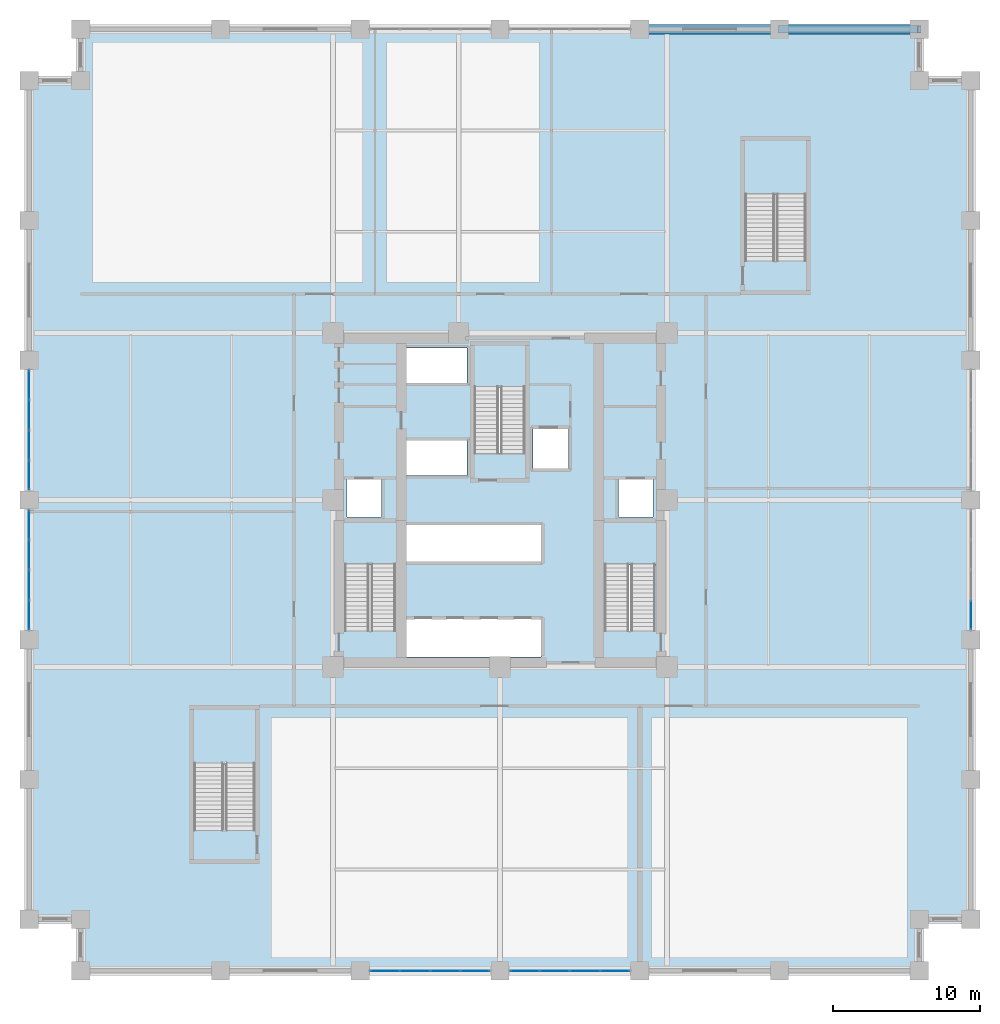
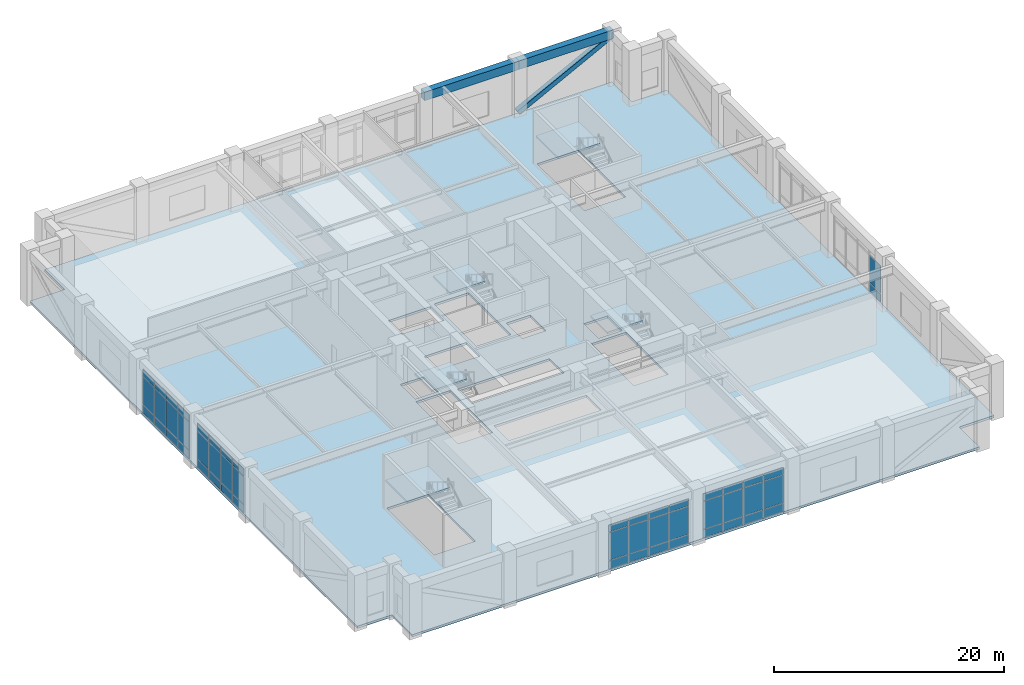
# One storey, part 10 of 21: 50 plates, 6 slabs, 2 beams, 1 member, 10 elements without a shape of their own.
"""IFC4 building model written with IfcOpenShell, lengths in metres."""

from ifc_helpers import new_model, si_unit, direction, frame, origin, origin_2d, place, context, subcontext, project, spatial, polyline, rectangle, hollow_rectangle, outline, extrude, material, layer, layer_set, material_profile, profile_set, type_object, element, aggregate, save


model = new_model("IFC4")

# Units and contexts
model_context = context("Model", 3, precision=1e-05, world=origin(), true_north=direction((0.0, 1.0)))
body_context = subcontext(model_context, "Body", "Model", "MODEL_VIEW")
ifc_project = project(units=[si_unit("LENGTHUNIT", "METRE"), si_unit("AREAUNIT", "SQUARE_METRE"), si_unit("VOLUMEUNIT", "CUBIC_METRE"), si_unit("PLANEANGLEUNIT", "RADIAN"), si_unit("MASSUNIT", "GRAM", prefix="KILO")], contexts=[model_context])

# Site, building, storey
site_placement = place(None, origin())
site = spatial("IfcSite", under=ifc_project, at=site_placement, CompositionType="ELEMENT")
building_placement = place(site_placement, origin())
building = spatial("IfcBuilding", under=site, at=building_placement, Name="Nhamokura Convention Tower", CompositionType="ELEMENT")
storey_placement = place(building_placement, frame((0.0, 0.0, 17.85009765625)))
storey = spatial("IfcBuildingStorey", under=building, at=storey_placement, Name="L03", CompositionType="ELEMENT", Elevation=17.85009765625)

# Member
ifc_material_1 = material(Name="Steel ASTM A572 Gr 50", Category="steel")
ifc_material_profile_1 = material_profile(ifc_material_1, hollow_rectangle(XDim=0.5, YDim=0.5, WallThickness=0.02490234375, at=origin_2d()))
ifc_profile_set_1 = profile_set([ifc_material_profile_1], Name="Steel ASTM A572 Gr 50")
member_type = type_object("IfcMemberType", Name="TubeBrace_HSS500", PredefinedType="BRACE", material=ifc_profile_set_1)
member_placement = place(storey_placement, frame((51.0, 64.0, 0.14990234375), z_axis=(0.888365692966, 0.0, 0.459136576152), x_axis=(0.0, 1.0, 0.0)))
element("IfcMember", 1, at=member_placement, inside=storey, type_object=member_type, Name="L03 Perimeter Tube Brace NORTH Bay 5", PredefinedType="BRACE", context=body_context, shape_type="SweptSolid", body=[
    extrude(hollow_rectangle(XDim=0.5, YDim=0.5, WallThickness=0.02490234375, at=origin_2d()), origin(), (0.0, 0.0, 1.0), 10.69384765625),
])

# Beams
ifc_material_2 = material(Name="Concrete C60/75", Category="concrete")
ifc_material_profile_2 = material_profile(ifc_material_2, rectangle(XDim=0.64990234375, YDim=0.89990234375, at=origin_2d()))
ifc_profile_set_2 = profile_set([ifc_material_profile_2], Name="Concrete C60/75")
beam_type = type_object("IfcBeamType", Name="TubeSpandrel_900", PredefinedType="SPANDREL", material=ifc_profile_set_2)
for number, where, z_axis, x_axis, name in (
    (2, (41.5, 64.0, 5.260009765625), (1.0, 0.0, 0.0), (0.0, 1.0, 0.0), "L03 Perimeter Spandrel NORTH 5"),
    (3, (51.0, 64.0, 5.260009765625), (1.0, 0.0, 0.0), (0.0, 1.0, 0.0), "L03 Perimeter Spandrel NORTH 6"),
):
    element("IfcBeam", number, at=place(storey_placement, frame(where, z_axis=z_axis, x_axis=x_axis)), inside=storey, type_object=beam_type, Name=name, PredefinedType="SPANDREL", context=body_context, shape_type="SweptSolid", body=[
        extrude(rectangle(XDim=0.64990234375, YDim=0.89990234375, at=origin_2d()), origin(), (0.0, 0.0, 1.0), 9.5),
    ])

# Curtain wall, plates
ifc_material_3 = material(Name="Anodised bronze aluminium AA6063-T6", Category="aluminium")
ifc_layer_1 = layer(ifc_material_3, 0.199951171875)
ifc_layer_set_1 = layer_set([ifc_layer_1], Name="CWSystem_ConventionFoyer")
curtain_wall_type = type_object("IfcCurtainWallType", Name="CWSystem_ConventionFoyer", PredefinedType="NOTDEFINED", material=ifc_layer_set_1)
curtain_wall_1_placement = place(storey_placement, origin())
curtain_wall_1 = element("IfcCurtainWall", 4, at=curtain_wall_1_placement, inside=storey, type_object=curtain_wall_type, Name="L03 Curtain Wall ENV-L03-CW-S2", PredefinedType="NOTDEFINED")
ifc_material_4 = material(Name="Solar-control bronze low-E double glass", Category="glass")
ifc_layer_2 = layer(ifc_material_4, 0.035888671875)
ifc_layer_set_2 = layer_set([ifc_layer_2], Name="CWGlazedPanel_2")
plate_type = type_object("IfcPlateType", Name="CWGlazedPanel_2", PredefinedType="CURTAIN_PANEL", material=ifc_layer_set_2)
plate_1_placement = place(storey_placement, frame((30.30615234375, 0.0, 0.074951171875), z_axis=(0.0, 0.0, 1.0), x_axis=(-1.0, 0.0, 0.0)))
plate_1 = element("IfcPlate", 5, at=plate_1_placement, type_object=plate_type, Name="CW-02 panel 1.1", PredefinedType="CURTAIN_PANEL", context=body_context, shape_type="SweptSolid", body=[
    extrude(rectangle(XDim=1.9375, YDim=0.035888671875, at=origin_2d()), origin(), (0.0, 0.0, 1.0), 0.83740234375),
])
plate_2_placement = place(storey_placement, frame((30.30615234375, 0.0, 0.9873046875), z_axis=(0.0, 0.0, 1.0), x_axis=(-1.0, 0.0, 0.0)))
plate_2 = element("IfcPlate", 6, at=plate_2_placement, type_object=plate_type, Name="CW-02 panel 1.2", PredefinedType="CURTAIN_PANEL", context=body_context, shape_type="SweptSolid", body=[
    extrude(rectangle(XDim=1.9375, YDim=0.035888671875, at=origin_2d()), origin(), (0.0, 0.0, 1.0), 2.93505859375),
])
plate_3_placement = place(storey_placement, frame((30.30615234375, 0.0, 3.99755859375), z_axis=(0.0, 0.0, 1.0), x_axis=(-1.0, 0.0, 0.0)))
plate_3 = element("IfcPlate", 7, at=plate_3_placement, type_object=plate_type, Name="CW-02 panel 1.3", PredefinedType="CURTAIN_PANEL", context=body_context, shape_type="SweptSolid", body=[
    extrude(rectangle(XDim=1.9375, YDim=0.035888671875, at=origin_2d()), origin(), (0.0, 0.0, 1.0), 0.737548828125),
])
plate_4_placement = place(storey_placement, frame((28.27490234375, 0.0, 0.074951171875), z_axis=(0.0, 0.0, 1.0), x_axis=(-1.0, 0.0, 0.0)))
plate_4 = element("IfcPlate", 8, at=plate_4_placement, type_object=plate_type, Name="CW-02 panel 2.1", PredefinedType="CURTAIN_PANEL", context=body_context, shape_type="SweptSolid", body=[
    extrude(rectangle(XDim=1.97509765625, YDim=0.035888671875, at=origin_2d()), origin(), (0.0, 0.0, 1.0), 0.83740234375),
])
plate_5_placement = place(storey_placement, frame((28.27490234375, 0.0, 0.9873046875), z_axis=(0.0, 0.0, 1.0), x_axis=(-1.0, 0.0, 0.0)))
plate_5 = element("IfcPlate", 9, at=plate_5_placement, type_object=plate_type, Name="CW-02 panel 2.2", PredefinedType="CURTAIN_PANEL", context=body_context, shape_type="SweptSolid", body=[
    extrude(rectangle(XDim=1.97509765625, YDim=0.035888671875, at=origin_2d()), origin(), (0.0, 0.0, 1.0), 2.93505859375),
])
plate_6_placement = place(storey_placement, frame((28.27490234375, 0.0, 3.99755859375), z_axis=(0.0, 0.0, 1.0), x_axis=(-1.0, 0.0, 0.0)))
plate_6 = element("IfcPlate", 10, at=plate_6_placement, type_object=plate_type, Name="CW-02 panel 2.3", PredefinedType="CURTAIN_PANEL", context=body_context, shape_type="SweptSolid", body=[
    extrude(rectangle(XDim=1.97509765625, YDim=0.035888671875, at=origin_2d()), origin(), (0.0, 0.0, 1.0), 0.737548828125),
])
plate_7_placement = place(storey_placement, frame((26.22509765625, 0.0, 0.074951171875), z_axis=(0.0, 0.0, 1.0), x_axis=(-1.0, 0.0, 0.0)))
plate_7 = element("IfcPlate", 11, at=plate_7_placement, type_object=plate_type, Name="CW-02 panel 3.1", PredefinedType="CURTAIN_PANEL", context=body_context, shape_type="SweptSolid", body=[
    extrude(rectangle(XDim=1.97509765625, YDim=0.035888671875, at=origin_2d()), origin(), (0.0, 0.0, 1.0), 0.83740234375),
])
plate_8_placement = place(storey_placement, frame((26.22509765625, 0.0, 0.9873046875), z_axis=(0.0, 0.0, 1.0), x_axis=(-1.0, 0.0, 0.0)))
plate_8 = element("IfcPlate", 12, at=plate_8_placement, type_object=plate_type, Name="CW-02 panel 3.2", PredefinedType="CURTAIN_PANEL", context=body_context, shape_type="SweptSolid", body=[
    extrude(rectangle(XDim=1.97509765625, YDim=0.035888671875, at=origin_2d()), origin(), (0.0, 0.0, 1.0), 2.93505859375),
])
plate_9_placement = place(storey_placement, frame((26.22509765625, 0.0, 3.99755859375), z_axis=(0.0, 0.0, 1.0), x_axis=(-1.0, 0.0, 0.0)))
plate_9 = element("IfcPlate", 13, at=plate_9_placement, type_object=plate_type, Name="CW-02 panel 3.3", PredefinedType="CURTAIN_PANEL", context=body_context, shape_type="SweptSolid", body=[
    extrude(rectangle(XDim=1.97509765625, YDim=0.035888671875, at=origin_2d()), origin(), (0.0, 0.0, 1.0), 0.737548828125),
])
plate_10_placement = place(storey_placement, frame((24.19384765625, 0.0, 0.074951171875), z_axis=(0.0, 0.0, 1.0), x_axis=(-1.0, 0.0, 0.0)))
plate_10 = element("IfcPlate", 14, at=plate_10_placement, type_object=plate_type, Name="CW-02 panel 4.1", PredefinedType="CURTAIN_PANEL", context=body_context, shape_type="SweptSolid", body=[
    extrude(rectangle(XDim=1.9375, YDim=0.035888671875, at=origin_2d()), origin(), (0.0, 0.0, 1.0), 0.83740234375),
])
plate_11_placement = place(storey_placement, frame((24.19384765625, 0.0, 0.9873046875), z_axis=(0.0, 0.0, 1.0), x_axis=(-1.0, 0.0, 0.0)))
plate_11 = element("IfcPlate", 15, at=plate_11_placement, type_object=plate_type, Name="CW-02 panel 4.2", PredefinedType="CURTAIN_PANEL", context=body_context, shape_type="SweptSolid", body=[
    extrude(rectangle(XDim=1.9375, YDim=0.035888671875, at=origin_2d()), origin(), (0.0, 0.0, 1.0), 2.93505859375),
])
plate_12_placement = place(storey_placement, frame((24.19384765625, 0.0, 3.99755859375), z_axis=(0.0, 0.0, 1.0), x_axis=(-1.0, 0.0, 0.0)))
plate_12 = element("IfcPlate", 16, at=plate_12_placement, type_object=plate_type, Name="CW-02 panel 4.3", PredefinedType="CURTAIN_PANEL", context=body_context, shape_type="SweptSolid", body=[
    extrude(rectangle(XDim=1.9375, YDim=0.035888671875, at=origin_2d()), origin(), (0.0, 0.0, 1.0), 0.737548828125),
])
aggregate(curtain_wall_1, [plate_1, plate_2, plate_3, plate_4, plate_5, plate_6, plate_7, plate_8, plate_9, plate_10, plate_11, plate_12])

curtain_wall_2_placement = place(storey_placement, origin())
curtain_wall_2 = element("IfcCurtainWall", 17, at=curtain_wall_2_placement, inside=storey, type_object=curtain_wall_type, Name="L03 Curtain Wall ENV-L03-CW-S3", PredefinedType="NOTDEFINED")
plate_13_placement = place(storey_placement, frame((39.80615234375, 0.0, 0.074951171875), z_axis=(0.0, 0.0, 1.0), x_axis=(-1.0, 0.0, 0.0)))
plate_13 = element("IfcPlate", 18, at=plate_13_placement, type_object=plate_type, Name="CW-02 panel 1.1", PredefinedType="CURTAIN_PANEL", context=body_context, shape_type="SweptSolid", body=[
    extrude(rectangle(XDim=1.9375, YDim=0.035888671875, at=origin_2d()), origin(), (0.0, 0.0, 1.0), 0.83740234375),
])
plate_14_placement = place(storey_placement, frame((39.80615234375, 0.0, 0.9873046875), z_axis=(0.0, 0.0, 1.0), x_axis=(-1.0, 0.0, 0.0)))
plate_14 = element("IfcPlate", 19, at=plate_14_placement, type_object=plate_type, Name="CW-02 panel 1.2", PredefinedType="CURTAIN_PANEL", context=body_context, shape_type="SweptSolid", body=[
    extrude(rectangle(XDim=1.9375, YDim=0.035888671875, at=origin_2d()), origin(), (0.0, 0.0, 1.0), 2.93505859375),
])
plate_15_placement = place(storey_placement, frame((39.80615234375, 0.0, 3.99755859375), z_axis=(0.0, 0.0, 1.0), x_axis=(-1.0, 0.0, 0.0)))
plate_15 = element("IfcPlate", 20, at=plate_15_placement, type_object=plate_type, Name="CW-02 panel 1.3", PredefinedType="CURTAIN_PANEL", context=body_context, shape_type="SweptSolid", body=[
    extrude(rectangle(XDim=1.9375, YDim=0.035888671875, at=origin_2d()), origin(), (0.0, 0.0, 1.0), 0.737548828125),
])
plate_16_placement = place(storey_placement, frame((37.77490234375, 0.0, 0.074951171875), z_axis=(0.0, 0.0, 1.0), x_axis=(-1.0, 0.0, 0.0)))
plate_16 = element("IfcPlate", 21, at=plate_16_placement, type_object=plate_type, Name="CW-02 panel 2.1", PredefinedType="CURTAIN_PANEL", context=body_context, shape_type="SweptSolid", body=[
    extrude(rectangle(XDim=1.97509765625, YDim=0.035888671875, at=origin_2d()), origin(), (0.0, 0.0, 1.0), 0.83740234375),
])
plate_17_placement = place(storey_placement, frame((37.77490234375, 0.0, 0.9873046875), z_axis=(0.0, 0.0, 1.0), x_axis=(-1.0, 0.0, 0.0)))
plate_17 = element("IfcPlate", 22, at=plate_17_placement, type_object=plate_type, Name="CW-02 panel 2.2", PredefinedType="CURTAIN_PANEL", context=body_context, shape_type="SweptSolid", body=[
    extrude(rectangle(XDim=1.97509765625, YDim=0.035888671875, at=origin_2d()), origin(), (0.0, 0.0, 1.0), 2.93505859375),
])
plate_18_placement = place(storey_placement, frame((37.77490234375, 0.0, 3.99755859375), z_axis=(0.0, 0.0, 1.0), x_axis=(-1.0, 0.0, 0.0)))
plate_18 = element("IfcPlate", 23, at=plate_18_placement, type_object=plate_type, Name="CW-02 panel 2.3", PredefinedType="CURTAIN_PANEL", context=body_context, shape_type="SweptSolid", body=[
    extrude(rectangle(XDim=1.97509765625, YDim=0.035888671875, at=origin_2d()), origin(), (0.0, 0.0, 1.0), 0.737548828125),
])
plate_19_placement = place(storey_placement, frame((35.72509765625, 0.0, 0.074951171875), z_axis=(0.0, 0.0, 1.0), x_axis=(-1.0, 0.0, 0.0)))
plate_19 = element("IfcPlate", 24, at=plate_19_placement, type_object=plate_type, Name="CW-02 panel 3.1", PredefinedType="CURTAIN_PANEL", context=body_context, shape_type="SweptSolid", body=[
    extrude(rectangle(XDim=1.97509765625, YDim=0.035888671875, at=origin_2d()), origin(), (0.0, 0.0, 1.0), 0.83740234375),
])
plate_20_placement = place(storey_placement, frame((35.72509765625, 0.0, 0.9873046875), z_axis=(0.0, 0.0, 1.0), x_axis=(-1.0, 0.0, 0.0)))
plate_20 = element("IfcPlate", 25, at=plate_20_placement, type_object=plate_type, Name="CW-02 panel 3.2", PredefinedType="CURTAIN_PANEL", context=body_context, shape_type="SweptSolid", body=[
    extrude(rectangle(XDim=1.97509765625, YDim=0.035888671875, at=origin_2d()), origin(), (0.0, 0.0, 1.0), 2.93505859375),
])
plate_21_placement = place(storey_placement, frame((35.72509765625, 0.0, 3.99755859375), z_axis=(0.0, 0.0, 1.0), x_axis=(-1.0, 0.0, 0.0)))
plate_21 = element("IfcPlate", 26, at=plate_21_placement, type_object=plate_type, Name="CW-02 panel 3.3", PredefinedType="CURTAIN_PANEL", context=body_context, shape_type="SweptSolid", body=[
    extrude(rectangle(XDim=1.97509765625, YDim=0.035888671875, at=origin_2d()), origin(), (0.0, 0.0, 1.0), 0.737548828125),
])
plate_22_placement = place(storey_placement, frame((33.69384765625, 0.0, 0.074951171875), z_axis=(0.0, 0.0, 1.0), x_axis=(-1.0, 0.0, 0.0)))
plate_22 = element("IfcPlate", 27, at=plate_22_placement, type_object=plate_type, Name="CW-02 panel 4.1", PredefinedType="CURTAIN_PANEL", context=body_context, shape_type="SweptSolid", body=[
    extrude(rectangle(XDim=1.9375, YDim=0.035888671875, at=origin_2d()), origin(), (0.0, 0.0, 1.0), 0.83740234375),
])
plate_23_placement = place(storey_placement, frame((33.69384765625, 0.0, 0.9873046875), z_axis=(0.0, 0.0, 1.0), x_axis=(-1.0, 0.0, 0.0)))
plate_23 = element("IfcPlate", 28, at=plate_23_placement, type_object=plate_type, Name="CW-02 panel 4.2", PredefinedType="CURTAIN_PANEL", context=body_context, shape_type="SweptSolid", body=[
    extrude(rectangle(XDim=1.9375, YDim=0.035888671875, at=origin_2d()), origin(), (0.0, 0.0, 1.0), 2.93505859375),
])
plate_24_placement = place(storey_placement, frame((33.69384765625, 0.0, 3.99755859375), z_axis=(0.0, 0.0, 1.0), x_axis=(-1.0, 0.0, 0.0)))
plate_24 = element("IfcPlate", 29, at=plate_24_placement, type_object=plate_type, Name="CW-02 panel 4.3", PredefinedType="CURTAIN_PANEL", context=body_context, shape_type="SweptSolid", body=[
    extrude(rectangle(XDim=1.9375, YDim=0.035888671875, at=origin_2d()), origin(), (0.0, 0.0, 1.0), 0.737548828125),
])
aggregate(curtain_wall_2, [plate_13, plate_14, plate_15, plate_16, plate_17, plate_18, plate_19, plate_20, plate_21, plate_22, plate_23, plate_24])

curtain_wall_3_placement = place(storey_placement, origin())
curtain_wall_3 = element("IfcCurtainWall", 30, at=curtain_wall_3_placement, inside=storey, type_object=curtain_wall_type, Name="L03 Curtain Wall ENV-L03-CW-W2", PredefinedType="NOTDEFINED")
plate_25_placement = place(storey_placement, frame((0.0, 24.19384765625, 0.074951171875), z_axis=(0.0, 0.0, 1.0), x_axis=(0.0, 1.0, 0.0)))
plate_25 = element("IfcPlate", 31, at=plate_25_placement, type_object=plate_type, Name="CW-02 panel 1.1", PredefinedType="CURTAIN_PANEL", context=body_context, shape_type="SweptSolid", body=[
    extrude(rectangle(XDim=1.9375, YDim=0.035888671875, at=origin_2d()), origin(), (0.0, 0.0, 1.0), 0.83740234375),
])
plate_26_placement = place(storey_placement, frame((0.0, 24.19384765625, 0.9873046875), z_axis=(0.0, 0.0, 1.0), x_axis=(0.0, 1.0, 0.0)))
plate_26 = element("IfcPlate", 32, at=plate_26_placement, type_object=plate_type, Name="CW-02 panel 1.2", PredefinedType="CURTAIN_PANEL", context=body_context, shape_type="SweptSolid", body=[
    extrude(rectangle(XDim=1.9375, YDim=0.035888671875, at=origin_2d()), origin(), (0.0, 0.0, 1.0), 2.93505859375),
])
plate_27_placement = place(storey_placement, frame((0.0, 24.19384765625, 3.99755859375), z_axis=(0.0, 0.0, 1.0), x_axis=(0.0, 1.0, 0.0)))
plate_27 = element("IfcPlate", 33, at=plate_27_placement, type_object=plate_type, Name="CW-02 panel 1.3", PredefinedType="CURTAIN_PANEL", context=body_context, shape_type="SweptSolid", body=[
    extrude(rectangle(XDim=1.9375, YDim=0.035888671875, at=origin_2d()), origin(), (0.0, 0.0, 1.0), 0.737548828125),
])
plate_28_placement = place(storey_placement, frame((0.0, 26.22509765625, 0.074951171875), z_axis=(0.0, 0.0, 1.0), x_axis=(0.0, 1.0, 0.0)))
plate_28 = element("IfcPlate", 34, at=plate_28_placement, type_object=plate_type, Name="CW-02 panel 2.1", PredefinedType="CURTAIN_PANEL", context=body_context, shape_type="SweptSolid", body=[
    extrude(rectangle(XDim=1.97509765625, YDim=0.035888671875, at=origin_2d()), origin(), (0.0, 0.0, 1.0), 0.83740234375),
])
plate_29_placement = place(storey_placement, frame((0.0, 26.22509765625, 0.9873046875), z_axis=(0.0, 0.0, 1.0), x_axis=(0.0, 1.0, 0.0)))
plate_29 = element("IfcPlate", 35, at=plate_29_placement, type_object=plate_type, Name="CW-02 panel 2.2", PredefinedType="CURTAIN_PANEL", context=body_context, shape_type="SweptSolid", body=[
    extrude(rectangle(XDim=1.97509765625, YDim=0.035888671875, at=origin_2d()), origin(), (0.0, 0.0, 1.0), 2.93505859375),
])
plate_30_placement = place(storey_placement, frame((0.0, 26.22509765625, 3.99755859375), z_axis=(0.0, 0.0, 1.0), x_axis=(0.0, 1.0, 0.0)))
plate_30 = element("IfcPlate", 36, at=plate_30_placement, type_object=plate_type, Name="CW-02 panel 2.3", PredefinedType="CURTAIN_PANEL", context=body_context, shape_type="SweptSolid", body=[
    extrude(rectangle(XDim=1.97509765625, YDim=0.035888671875, at=origin_2d()), origin(), (0.0, 0.0, 1.0), 0.737548828125),
])
plate_31_placement = place(storey_placement, frame((0.0, 28.27490234375, 0.074951171875), z_axis=(0.0, 0.0, 1.0), x_axis=(0.0, 1.0, 0.0)))
plate_31 = element("IfcPlate", 37, at=plate_31_placement, type_object=plate_type, Name="CW-02 panel 3.1", PredefinedType="CURTAIN_PANEL", context=body_context, shape_type="SweptSolid", body=[
    extrude(rectangle(XDim=1.97509765625, YDim=0.035888671875, at=origin_2d()), origin(), (0.0, 0.0, 1.0), 0.83740234375),
])
plate_32_placement = place(storey_placement, frame((0.0, 28.27490234375, 0.9873046875), z_axis=(0.0, 0.0, 1.0), x_axis=(0.0, 1.0, 0.0)))
plate_32 = element("IfcPlate", 38, at=plate_32_placement, type_object=plate_type, Name="CW-02 panel 3.2", PredefinedType="CURTAIN_PANEL", context=body_context, shape_type="SweptSolid", body=[
    extrude(rectangle(XDim=1.97509765625, YDim=0.035888671875, at=origin_2d()), origin(), (0.0, 0.0, 1.0), 2.93505859375),
])
plate_33_placement = place(storey_placement, frame((0.0, 28.27490234375, 3.99755859375), z_axis=(0.0, 0.0, 1.0), x_axis=(0.0, 1.0, 0.0)))
plate_33 = element("IfcPlate", 39, at=plate_33_placement, type_object=plate_type, Name="CW-02 panel 3.3", PredefinedType="CURTAIN_PANEL", context=body_context, shape_type="SweptSolid", body=[
    extrude(rectangle(XDim=1.97509765625, YDim=0.035888671875, at=origin_2d()), origin(), (0.0, 0.0, 1.0), 0.737548828125),
])
plate_34_placement = place(storey_placement, frame((0.0, 30.30615234375, 0.074951171875), z_axis=(0.0, 0.0, 1.0), x_axis=(0.0, 1.0, 0.0)))
plate_34 = element("IfcPlate", 40, at=plate_34_placement, type_object=plate_type, Name="CW-02 panel 4.1", PredefinedType="CURTAIN_PANEL", context=body_context, shape_type="SweptSolid", body=[
    extrude(rectangle(XDim=1.9375, YDim=0.035888671875, at=origin_2d()), origin(), (0.0, 0.0, 1.0), 0.83740234375),
])
plate_35_placement = place(storey_placement, frame((0.0, 30.30615234375, 0.9873046875), z_axis=(0.0, 0.0, 1.0), x_axis=(0.0, 1.0, 0.0)))
plate_35 = element("IfcPlate", 41, at=plate_35_placement, type_object=plate_type, Name="CW-02 panel 4.2", PredefinedType="CURTAIN_PANEL", context=body_context, shape_type="SweptSolid", body=[
    extrude(rectangle(XDim=1.9375, YDim=0.035888671875, at=origin_2d()), origin(), (0.0, 0.0, 1.0), 2.93505859375),
])
plate_36_placement = place(storey_placement, frame((0.0, 30.30615234375, 3.99755859375), z_axis=(0.0, 0.0, 1.0), x_axis=(0.0, 1.0, 0.0)))
plate_36 = element("IfcPlate", 42, at=plate_36_placement, type_object=plate_type, Name="CW-02 panel 4.3", PredefinedType="CURTAIN_PANEL", context=body_context, shape_type="SweptSolid", body=[
    extrude(rectangle(XDim=1.9375, YDim=0.035888671875, at=origin_2d()), origin(), (0.0, 0.0, 1.0), 0.737548828125),
])
aggregate(curtain_wall_3, [plate_25, plate_26, plate_27, plate_28, plate_29, plate_30, plate_31, plate_32, plate_33, plate_34, plate_35, plate_36])

curtain_wall_4_placement = place(storey_placement, origin())
curtain_wall_4 = element("IfcCurtainWall", 43, at=curtain_wall_4_placement, inside=storey, type_object=curtain_wall_type, Name="L03 Curtain Wall ENV-L03-CW-W3", PredefinedType="NOTDEFINED")
plate_37_placement = place(storey_placement, frame((0.0, 33.69384765625, 0.074951171875), z_axis=(0.0, 0.0, 1.0), x_axis=(0.0, 1.0, 0.0)))
plate_37 = element("IfcPlate", 44, at=plate_37_placement, type_object=plate_type, Name="CW-02 panel 1.1", PredefinedType="CURTAIN_PANEL", context=body_context, shape_type="SweptSolid", body=[
    extrude(rectangle(XDim=1.9375, YDim=0.035888671875, at=origin_2d()), origin(), (0.0, 0.0, 1.0), 0.83740234375),
])
plate_38_placement = place(storey_placement, frame((0.0, 33.69384765625, 0.9873046875), z_axis=(0.0, 0.0, 1.0), x_axis=(0.0, 1.0, 0.0)))
plate_38 = element("IfcPlate", 45, at=plate_38_placement, type_object=plate_type, Name="CW-02 panel 1.2", PredefinedType="CURTAIN_PANEL", context=body_context, shape_type="SweptSolid", body=[
    extrude(rectangle(XDim=1.9375, YDim=0.035888671875, at=origin_2d()), origin(), (0.0, 0.0, 1.0), 2.93505859375),
])
plate_39_placement = place(storey_placement, frame((0.0, 33.69384765625, 3.99755859375), z_axis=(0.0, 0.0, 1.0), x_axis=(0.0, 1.0, 0.0)))
plate_39 = element("IfcPlate", 46, at=plate_39_placement, type_object=plate_type, Name="CW-02 panel 1.3", PredefinedType="CURTAIN_PANEL", context=body_context, shape_type="SweptSolid", body=[
    extrude(rectangle(XDim=1.9375, YDim=0.035888671875, at=origin_2d()), origin(), (0.0, 0.0, 1.0), 0.737548828125),
])
plate_40_placement = place(storey_placement, frame((0.0, 35.72509765625, 0.074951171875), z_axis=(0.0, 0.0, 1.0), x_axis=(0.0, 1.0, 0.0)))
plate_40 = element("IfcPlate", 47, at=plate_40_placement, type_object=plate_type, Name="CW-02 panel 2.1", PredefinedType="CURTAIN_PANEL", context=body_context, shape_type="SweptSolid", body=[
    extrude(rectangle(XDim=1.97509765625, YDim=0.035888671875, at=origin_2d()), origin(), (0.0, 0.0, 1.0), 0.83740234375),
])
plate_41_placement = place(storey_placement, frame((0.0, 35.72509765625, 0.9873046875), z_axis=(0.0, 0.0, 1.0), x_axis=(0.0, 1.0, 0.0)))
plate_41 = element("IfcPlate", 48, at=plate_41_placement, type_object=plate_type, Name="CW-02 panel 2.2", PredefinedType="CURTAIN_PANEL", context=body_context, shape_type="SweptSolid", body=[
    extrude(rectangle(XDim=1.97509765625, YDim=0.035888671875, at=origin_2d()), origin(), (0.0, 0.0, 1.0), 2.93505859375),
])
plate_42_placement = place(storey_placement, frame((0.0, 35.72509765625, 3.99755859375), z_axis=(0.0, 0.0, 1.0), x_axis=(0.0, 1.0, 0.0)))
plate_42 = element("IfcPlate", 49, at=plate_42_placement, type_object=plate_type, Name="CW-02 panel 2.3", PredefinedType="CURTAIN_PANEL", context=body_context, shape_type="SweptSolid", body=[
    extrude(rectangle(XDim=1.97509765625, YDim=0.035888671875, at=origin_2d()), origin(), (0.0, 0.0, 1.0), 0.737548828125),
])
plate_43_placement = place(storey_placement, frame((0.0, 37.77490234375, 0.074951171875), z_axis=(0.0, 0.0, 1.0), x_axis=(0.0, 1.0, 0.0)))
plate_43 = element("IfcPlate", 50, at=plate_43_placement, type_object=plate_type, Name="CW-02 panel 3.1", PredefinedType="CURTAIN_PANEL", context=body_context, shape_type="SweptSolid", body=[
    extrude(rectangle(XDim=1.97509765625, YDim=0.035888671875, at=origin_2d()), origin(), (0.0, 0.0, 1.0), 0.83740234375),
])
plate_44_placement = place(storey_placement, frame((0.0, 37.77490234375, 0.9873046875), z_axis=(0.0, 0.0, 1.0), x_axis=(0.0, 1.0, 0.0)))
plate_44 = element("IfcPlate", 51, at=plate_44_placement, type_object=plate_type, Name="CW-02 panel 3.2", PredefinedType="CURTAIN_PANEL", context=body_context, shape_type="SweptSolid", body=[
    extrude(rectangle(XDim=1.97509765625, YDim=0.035888671875, at=origin_2d()), origin(), (0.0, 0.0, 1.0), 2.93505859375),
])
plate_45_placement = place(storey_placement, frame((0.0, 37.77490234375, 3.99755859375), z_axis=(0.0, 0.0, 1.0), x_axis=(0.0, 1.0, 0.0)))
plate_45 = element("IfcPlate", 52, at=plate_45_placement, type_object=plate_type, Name="CW-02 panel 3.3", PredefinedType="CURTAIN_PANEL", context=body_context, shape_type="SweptSolid", body=[
    extrude(rectangle(XDim=1.97509765625, YDim=0.035888671875, at=origin_2d()), origin(), (0.0, 0.0, 1.0), 0.737548828125),
])
plate_46_placement = place(storey_placement, frame((0.0, 39.80615234375, 0.074951171875), z_axis=(0.0, 0.0, 1.0), x_axis=(0.0, 1.0, 0.0)))
plate_46 = element("IfcPlate", 53, at=plate_46_placement, type_object=plate_type, Name="CW-02 panel 4.1", PredefinedType="CURTAIN_PANEL", context=body_context, shape_type="SweptSolid", body=[
    extrude(rectangle(XDim=1.9375, YDim=0.035888671875, at=origin_2d()), origin(), (0.0, 0.0, 1.0), 0.83740234375),
])
plate_47_placement = place(storey_placement, frame((0.0, 39.80615234375, 0.9873046875), z_axis=(0.0, 0.0, 1.0), x_axis=(0.0, 1.0, 0.0)))
plate_47 = element("IfcPlate", 54, at=plate_47_placement, type_object=plate_type, Name="CW-02 panel 4.2", PredefinedType="CURTAIN_PANEL", context=body_context, shape_type="SweptSolid", body=[
    extrude(rectangle(XDim=1.9375, YDim=0.035888671875, at=origin_2d()), origin(), (0.0, 0.0, 1.0), 2.93505859375),
])
plate_48_placement = place(storey_placement, frame((0.0, 39.80615234375, 3.99755859375), z_axis=(0.0, 0.0, 1.0), x_axis=(0.0, 1.0, 0.0)))
plate_48 = element("IfcPlate", 55, at=plate_48_placement, type_object=plate_type, Name="CW-02 panel 4.3", PredefinedType="CURTAIN_PANEL", context=body_context, shape_type="SweptSolid", body=[
    extrude(rectangle(XDim=1.9375, YDim=0.035888671875, at=origin_2d()), origin(), (0.0, 0.0, 1.0), 0.737548828125),
])
aggregate(curtain_wall_4, [plate_37, plate_38, plate_39, plate_40, plate_41, plate_42, plate_43, plate_44, plate_45, plate_46, plate_47, plate_48])

curtain_wall_5_placement = place(storey_placement, origin())
curtain_wall_5 = element("IfcCurtainWall", 56, at=curtain_wall_5_placement, inside=storey, type_object=curtain_wall_type, Name="L03 Curtain Wall ENV-L03-CW-E2", PredefinedType="NOTDEFINED")
plate_49_placement = place(storey_placement, frame((64.0, 24.19384765625, 0.074951171875), z_axis=(0.0, 0.0, 1.0), x_axis=(0.0, -1.0, 0.0)))
plate_49 = element("IfcPlate", 57, at=plate_49_placement, type_object=plate_type, Name="CW-02 panel 4.1", PredefinedType="CURTAIN_PANEL", context=body_context, shape_type="SweptSolid", body=[
    extrude(rectangle(XDim=1.9375, YDim=0.035888671875, at=origin_2d()), origin(), (0.0, 0.0, 1.0), 0.83740234375),
])
plate_50_placement = place(storey_placement, frame((64.0, 24.19384765625, 0.9873046875), z_axis=(0.0, 0.0, 1.0), x_axis=(0.0, -1.0, 0.0)))
plate_50 = element("IfcPlate", 58, at=plate_50_placement, type_object=plate_type, Name="CW-02 panel 4.2", PredefinedType="CURTAIN_PANEL", context=body_context, shape_type="SweptSolid", body=[
    extrude(rectangle(XDim=1.9375, YDim=0.035888671875, at=origin_2d()), origin(), (0.0, 0.0, 1.0), 2.93505859375),
])
aggregate(curtain_wall_5, [plate_49, plate_50])

# Slab
ifc_material_5 = material(Name="Concrete C40/50", Category="concrete")
ifc_layer_3 = layer(ifc_material_5, 0.239990234375)
ifc_layer_set_3 = layer_set([ifc_layer_3], Name="ConventionHallSlab_240")
slab_type_1 = type_object("IfcSlabType", Name="ConventionHallSlab_240", PredefinedType="FLOOR", material=ifc_layer_set_3)
slab_1_placement = place(storey_placement, frame((0.0, 0.0, -0.239990234375)))
element("IfcSlab", 59, at=slab_1_placement, inside=storey, type_object=slab_type_1, Name="L03 Structural Floor Slab", PredefinedType="FLOOR", context=body_context, shape_type="SweptSolid", body=[
    extrude(outline(polyline([(3.5, 0.0), (60.5, 0.0), (60.5, 3.5), (64.0, 3.5), (64.0, 60.5), (60.5, 60.5), (60.5, 64.0), (3.5, 64.0), (3.5, 60.5), (0.0, 60.5), (0.0, 3.5), (3.5, 3.5), (3.5, 0.0)]), holes=[polyline([(24.89990234375, 23.10009765625), (24.89990234375, 30.449951171875), (21.449951171875, 30.449951171875), (21.449951171875, 23.10009765625), (24.89990234375, 23.10009765625)]), polyline([(42.550048828125, 23.10009765625), (42.550048828125, 30.449951171875), (39.10009765625, 30.449951171875), (39.10009765625, 23.10009765625), (42.550048828125, 23.10009765625)]), polyline([(33.699951171875, 35.14990234375), (33.699951171875, 42.5), (30.25, 42.5), (30.25, 35.14990234375), (33.699951171875, 35.14990234375)]), polyline([(15.35009765625, 9.550048828125), (15.35009765625, 17.75), (11.199951171875, 17.75), (11.199951171875, 9.550048828125), (15.35009765625, 9.550048828125)]), polyline([(52.800048828125, 48.25), (52.800048828125, 56.449951171875), (48.64990234375, 56.449951171875), (48.64990234375, 48.25), (52.800048828125, 48.25)]), polyline([(21.60009765625, 30.85009765625), (23.949951171875, 30.85009765625), (23.949951171875, 33.39990234375), (21.60009765625, 33.39990234375), (21.60009765625, 30.85009765625)]), polyline([(40.050048828125, 30.85009765625), (42.39990234375, 30.85009765625), (42.39990234375, 33.39990234375), (40.050048828125, 33.39990234375), (40.050048828125, 30.85009765625)]), polyline([(34.25, 34.14990234375), (36.64990234375, 34.14990234375), (36.64990234375, 36.85009765625), (34.25, 36.85009765625), (34.25, 34.14990234375)]), polyline([(25.52001953125, 21.320068359375), (34.800048828125, 21.320068359375), (34.800048828125, 23.89990234375), (25.52001953125, 23.89990234375), (25.52001953125, 21.320068359375)]), polyline([(25.52001953125, 27.800048828125), (34.800048828125, 27.800048828125), (34.800048828125, 30.300048828125), (25.52001953125, 30.300048828125), (25.52001953125, 27.800048828125)]), polyline([(25.52001953125, 33.679931640625), (29.75, 33.679931640625), (29.75, 36.050048828125), (25.52001953125, 36.050048828125), (25.52001953125, 33.679931640625)]), polyline([(25.52001953125, 39.949951171875), (29.75, 39.949951171875), (29.75, 42.320068359375), (25.52001953125, 42.320068359375), (25.52001953125, 39.949951171875)])]), origin(), (0.0, 0.0, 1.0), 0.239990234375),
])

# Stair, slab
ifc_material_6 = material(Name="Concrete C40/50", Category="concrete")
stair_type_1 = type_object("IfcStairType", Name="TowerCoreStair_1650", PredefinedType="HALF_TURN_STAIR", material=ifc_material_6)
stair_1_placement = place(storey_placement, origin())
stair_1 = element("IfcStair", 60, at=stair_1_placement, inside=storey, type_object=stair_type_1, Name="L03 West Core Smokeproof Stair ST-01", PredefinedType="HALF_TURN_STAIR")
ifc_material_7 = material(Name="Concrete C40/50", Category="concrete")
ifc_layer_4 = layer(ifc_material_7, 0.199951171875)
ifc_layer_set_4 = layer_set([ifc_layer_4], Name="StairLandingSlab_200")
slab_type_2 = type_object("IfcSlabType", Name="StairLandingSlab_200", PredefinedType="LANDING", material=ifc_layer_set_4)
slab_2_placement = place(storey_placement, frame((0.0, 0.0, 2.77490234375)))
slab_2 = element("IfcSlab", 61, at=slab_2_placement, type_object=slab_type_2, Name="ST-01 landing 1", PredefinedType="LANDING", context=body_context, shape_type="SweptSolid", body=[
    extrude(outline(polyline([(24.97998046875, 27.580078125), (24.97998046875, 30.530029296875), (21.3701171875, 30.530029296875), (21.3701171875, 27.580078125), (24.97998046875, 27.580078125)])), origin(), (0.0, 0.0, 1.0), 0.199951171875),
])
aggregate(stair_1, [slab_2])

stair_2_placement = place(storey_placement, origin())
stair_2 = element("IfcStair", 62, at=stair_2_placement, inside=storey, type_object=stair_type_1, Name="L03 East Core Smokeproof Stair ST-02", PredefinedType="HALF_TURN_STAIR")
slab_3_placement = place(storey_placement, frame((0.0, 0.0, 2.77490234375)))
slab_3 = element("IfcSlab", 63, at=slab_3_placement, type_object=slab_type_2, Name="ST-02 landing 1", PredefinedType="LANDING", context=body_context, shape_type="SweptSolid", body=[
    extrude(outline(polyline([(42.6298828125, 27.580078125), (42.6298828125, 30.530029296875), (39.02001953125, 30.530029296875), (39.02001953125, 27.580078125), (42.6298828125, 27.580078125)])), origin(), (0.0, 0.0, 1.0), 0.199951171875),
])
aggregate(stair_2, [slab_3])

stair_3_placement = place(storey_placement, origin())
stair_3 = element("IfcStair", 64, at=stair_3_placement, inside=storey, type_object=stair_type_1, Name="L03 North Core Smokeproof Stair ST-03", PredefinedType="HALF_TURN_STAIR")
slab_4_placement = place(storey_placement, frame((0.0, 0.0, 2.77490234375)))
slab_4 = element("IfcSlab", 65, at=slab_4_placement, type_object=slab_type_2, Name="ST-03 landing 1", PredefinedType="LANDING", context=body_context, shape_type="SweptSolid", body=[
    extrude(outline(polyline([(33.780029296875, 39.6298828125), (33.780029296875, 42.580078125), (30.169921875, 42.580078125), (30.169921875, 39.6298828125), (33.780029296875, 39.6298828125)])), origin(), (0.0, 0.0, 1.0), 0.199951171875),
])
aggregate(stair_3, [slab_4])

ifc_material_8 = material(Name="Concrete C40/50", Category="concrete")
stair_type_2 = type_object("IfcStairType", Name="PodiumExitStair_2000", PredefinedType="HALF_TURN_STAIR", material=ifc_material_8)
stair_4_placement = place(storey_placement, origin())
stair_4 = element("IfcStair", 66, at=stair_4_placement, inside=storey, type_object=stair_type_2, Name="L03 South-West Podium Smokeproof Stair ST-04", PredefinedType="HALF_TURN_STAIR")
slab_5_placement = place(storey_placement, frame((0.0, 0.0, 2.77490234375)))
slab_5 = element("IfcSlab", 67, at=slab_5_placement, type_object=slab_type_2, Name="ST-04 landing 1", PredefinedType="LANDING", context=body_context, shape_type="SweptSolid", body=[
    extrude(outline(polyline([(15.429931640625, 14.030029296875), (15.429931640625, 17.830078125), (11.1201171875, 17.830078125), (11.1201171875, 14.030029296875), (15.429931640625, 14.030029296875)])), origin(), (0.0, 0.0, 1.0), 0.199951171875),
])
aggregate(stair_4, [slab_5])

stair_5_placement = place(storey_placement, origin())
stair_5 = element("IfcStair", 68, at=stair_5_placement, inside=storey, type_object=stair_type_2, Name="L03 North-East Podium Smokeproof Stair ST-05", PredefinedType="HALF_TURN_STAIR")
slab_6_placement = place(storey_placement, frame((0.0, 0.0, 2.77490234375)))
slab_6 = element("IfcSlab", 69, at=slab_6_placement, type_object=slab_type_2, Name="ST-05 landing 1", PredefinedType="LANDING", context=body_context, shape_type="SweptSolid", body=[
    extrude(outline(polyline([(52.8798828125, 52.72998046875), (52.8798828125, 56.530029296875), (48.570068359375, 56.530029296875), (48.570068359375, 52.72998046875), (52.8798828125, 52.72998046875)])), origin(), (0.0, 0.0, 1.0), 0.199951171875),
])
aggregate(stair_5, [slab_6])

save(model, "model.ifc")
